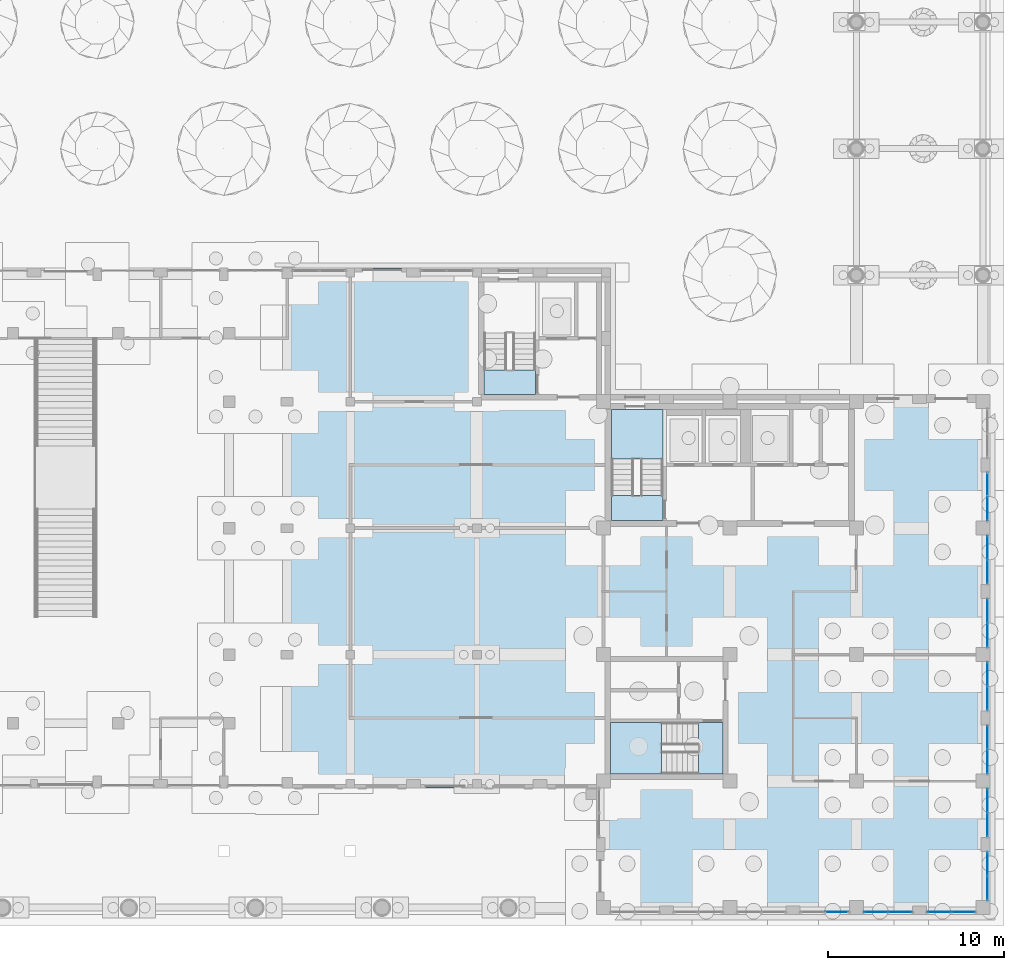
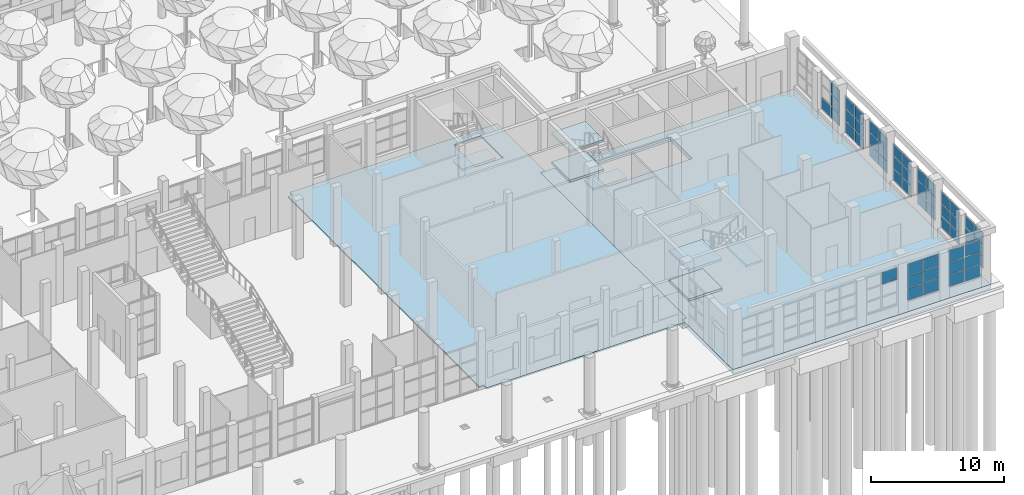
# One storey, part 34 of 80: 53 plates, 9 slabs, 13 elements without a shape of their own.
"""IFC4 building model written with IfcOpenShell, lengths in metres."""

from ifc_helpers import new_model, si_unit, direction, frame, origin, origin_2d, place, context, subcontext, project, spatial, polyline, rectangle, outline, extrude, material, layer, layer_set, type_object, element, aggregate, save


model = new_model("IFC4")

# Units and contexts
model_context = context("Model", 3, precision=1e-05, world=origin(), true_north=direction((0.0, 1.0)))
body_context = subcontext(model_context, "Body", "Model", "MODEL_VIEW")
ifc_project = project(units=[si_unit("LENGTHUNIT", "METRE"), si_unit("AREAUNIT", "SQUARE_METRE"), si_unit("VOLUMEUNIT", "CUBIC_METRE"), si_unit("PLANEANGLEUNIT", "RADIAN"), si_unit("MASSUNIT", "GRAM", prefix="KILO")], contexts=[model_context])

# Site, building, storey
site_placement = place(None, origin())
site = spatial("IfcSite", under=ifc_project, at=site_placement, CompositionType="ELEMENT")
building_placement = place(site_placement, origin())
building = spatial("IfcBuilding", under=site, at=building_placement, Name="Ussher Court Research Institute", CompositionType="ELEMENT")
storey_placement = place(building_placement, origin())
storey = spatial("IfcBuildingStorey", under=building, at=storey_placement, Name="L00", CompositionType="ELEMENT", Elevation=0.0)

# Curtain wall, plates
ifc_material_1 = material(Name="Bronze anodised aluminium with tinted glass", Category="aluminium")
ifc_layer_1 = layer(ifc_material_1, 0.1201171875)
ifc_layer_set_1 = layer_set([ifc_layer_1], Name="Bronze anodised aluminium with tinted glass")
curtain_wall_type = type_object("IfcCurtainWallType", Name="Curtain wall wet laboratory base storefront", PredefinedType="NOTDEFINED", material=ifc_layer_set_1)
curtain_wall_1_placement = place(storey_placement, origin())
curtain_wall_1 = element("IfcCurtainWall", 1, at=curtain_wall_1_placement, inside=storey, type_object=curtain_wall_type, Name="Curtain wall CW1 L00", PredefinedType="NOTDEFINED")
ifc_material_2 = material(Name="Double glazed unit")
ifc_layer_2 = layer(ifc_material_2, 0.028076171875)
ifc_layer_set_2 = layer_set([ifc_layer_2], Name="Double glazed unit")
plate_type = type_object("IfcPlateType", Name="Glazing panel 28 mm", PredefinedType="CURTAIN_PANEL", material=ifc_layer_set_2)
plate_1_placement = place(storey_placement, frame((104.050048828125, 28.0849609375, 0.9599609375), z_axis=(0.0, 0.0, 1.0), x_axis=(0.0, -1.0, 0.0)))
plate_1 = element("IfcPlate", 2, at=plate_1_placement, type_object=plate_type, Name="CW1 panel 1.1", PredefinedType="CURTAIN_PANEL", context=body_context, shape_type="SweptSolid", body=[
    extrude(rectangle(XDim=1.31005859375, YDim=0.028076171875, at=origin_2d()), origin(), (0.0, 0.0, 1.0), 1.043212890625),
])
plate_2_placement = place(storey_placement, frame((104.050048828125, 26.715087890625, 0.9599609375), z_axis=(0.0, 0.0, 1.0), x_axis=(0.0, -1.0, 0.0)))
plate_2 = element("IfcPlate", 3, at=plate_2_placement, type_object=plate_type, Name="CW1 panel 2.1", PredefinedType="CURTAIN_PANEL", context=body_context, shape_type="SweptSolid", body=[
    extrude(rectangle(XDim=1.31005859375, YDim=0.028076171875, at=origin_2d()), origin(), (0.0, 0.0, 1.0), 1.043212890625),
])
plate_3_placement = place(storey_placement, frame((104.050048828125, 26.715087890625, 2.0634765625), z_axis=(0.0, 0.0, 1.0), x_axis=(0.0, -1.0, 0.0)))
plate_3 = element("IfcPlate", 4, at=plate_3_placement, type_object=plate_type, Name="CW1 panel 2.2", PredefinedType="CURTAIN_PANEL", context=body_context, shape_type="SweptSolid", body=[
    extrude(rectangle(XDim=1.31005859375, YDim=0.028076171875, at=origin_2d()), origin(), (0.0, 0.0, 1.0), 1.073486328125),
])
plate_4_placement = place(storey_placement, frame((104.050048828125, 26.715087890625, 3.19677734375), z_axis=(0.0, 0.0, 1.0), x_axis=(0.0, -1.0, 0.0)))
plate_4 = element("IfcPlate", 5, at=plate_4_placement, type_object=plate_type, Name="CW1 panel 2.3", PredefinedType="CURTAIN_PANEL", context=body_context, shape_type="SweptSolid", body=[
    extrude(rectangle(XDim=1.31005859375, YDim=0.028076171875, at=origin_2d()), origin(), (0.0, 0.0, 1.0), 1.043212890625),
])
aggregate(curtain_wall_1, [plate_1, plate_2, plate_3, plate_4])

curtain_wall_2_placement = place(storey_placement, origin())
curtain_wall_2 = element("IfcCurtainWall", 6, at=curtain_wall_2_placement, inside=storey, type_object=curtain_wall_type, Name="Curtain wall CW1 L00", PredefinedType="NOTDEFINED")
plate_5_placement = place(storey_placement, frame((104.050048828125, 24.485107421875, 0.9599609375), z_axis=(0.0, 0.0, 1.0), x_axis=(0.0, -1.0, 0.0)))
plate_5 = element("IfcPlate", 7, at=plate_5_placement, type_object=plate_type, Name="CW1 panel 1.1", PredefinedType="CURTAIN_PANEL", context=body_context, shape_type="SweptSolid", body=[
    extrude(rectangle(XDim=1.31005859375, YDim=0.028076171875, at=origin_2d()), origin(), (0.0, 0.0, 1.0), 1.043212890625),
])
plate_6_placement = place(storey_placement, frame((104.050048828125, 24.485107421875, 2.0634765625), z_axis=(0.0, 0.0, 1.0), x_axis=(0.0, -1.0, 0.0)))
plate_6 = element("IfcPlate", 8, at=plate_6_placement, type_object=plate_type, Name="CW1 panel 1.2", PredefinedType="CURTAIN_PANEL", context=body_context, shape_type="SweptSolid", body=[
    extrude(rectangle(XDim=1.31005859375, YDim=0.028076171875, at=origin_2d()), origin(), (0.0, 0.0, 1.0), 1.073486328125),
])
plate_7_placement = place(storey_placement, frame((104.050048828125, 24.485107421875, 3.19677734375), z_axis=(0.0, 0.0, 1.0), x_axis=(0.0, -1.0, 0.0)))
plate_7 = element("IfcPlate", 9, at=plate_7_placement, type_object=plate_type, Name="CW1 panel 1.3", PredefinedType="CURTAIN_PANEL", context=body_context, shape_type="SweptSolid", body=[
    extrude(rectangle(XDim=1.31005859375, YDim=0.028076171875, at=origin_2d()), origin(), (0.0, 0.0, 1.0), 1.043212890625),
])
plate_8_placement = place(storey_placement, frame((104.050048828125, 23.114990234375, 0.9599609375), z_axis=(0.0, 0.0, 1.0), x_axis=(0.0, -1.0, 0.0)))
plate_8 = element("IfcPlate", 10, at=plate_8_placement, type_object=plate_type, Name="CW1 panel 2.1", PredefinedType="CURTAIN_PANEL", context=body_context, shape_type="SweptSolid", body=[
    extrude(rectangle(XDim=1.31005859375, YDim=0.028076171875, at=origin_2d()), origin(), (0.0, 0.0, 1.0), 1.043212890625),
])
plate_9_placement = place(storey_placement, frame((104.050048828125, 23.114990234375, 2.0634765625), z_axis=(0.0, 0.0, 1.0), x_axis=(0.0, -1.0, 0.0)))
plate_9 = element("IfcPlate", 11, at=plate_9_placement, type_object=plate_type, Name="CW1 panel 2.2", PredefinedType="CURTAIN_PANEL", context=body_context, shape_type="SweptSolid", body=[
    extrude(rectangle(XDim=1.31005859375, YDim=0.028076171875, at=origin_2d()), origin(), (0.0, 0.0, 1.0), 1.073486328125),
])
plate_10_placement = place(storey_placement, frame((104.050048828125, 23.114990234375, 3.19677734375), z_axis=(0.0, 0.0, 1.0), x_axis=(0.0, -1.0, 0.0)))
plate_10 = element("IfcPlate", 12, at=plate_10_placement, type_object=plate_type, Name="CW1 panel 2.3", PredefinedType="CURTAIN_PANEL", context=body_context, shape_type="SweptSolid", body=[
    extrude(rectangle(XDim=1.31005859375, YDim=0.028076171875, at=origin_2d()), origin(), (0.0, 0.0, 1.0), 1.043212890625),
])
aggregate(curtain_wall_2, [plate_5, plate_6, plate_7, plate_8, plate_9, plate_10])

curtain_wall_3_placement = place(storey_placement, origin())
curtain_wall_3 = element("IfcCurtainWall", 13, at=curtain_wall_3_placement, inside=storey, type_object=curtain_wall_type, Name="Curtain wall CW1 L00", PredefinedType="NOTDEFINED")
plate_11_placement = place(storey_placement, frame((104.050048828125, 20.885009765625, 0.9599609375), z_axis=(0.0, 0.0, 1.0), x_axis=(0.0, -1.0, 0.0)))
plate_11 = element("IfcPlate", 14, at=plate_11_placement, type_object=plate_type, Name="CW1 panel 1.1", PredefinedType="CURTAIN_PANEL", context=body_context, shape_type="SweptSolid", body=[
    extrude(rectangle(XDim=1.31005859375, YDim=0.028076171875, at=origin_2d()), origin(), (0.0, 0.0, 1.0), 1.043212890625),
])
plate_12_placement = place(storey_placement, frame((104.050048828125, 20.885009765625, 2.0634765625), z_axis=(0.0, 0.0, 1.0), x_axis=(0.0, -1.0, 0.0)))
plate_12 = element("IfcPlate", 15, at=plate_12_placement, type_object=plate_type, Name="CW1 panel 1.2", PredefinedType="CURTAIN_PANEL", context=body_context, shape_type="SweptSolid", body=[
    extrude(rectangle(XDim=1.31005859375, YDim=0.028076171875, at=origin_2d()), origin(), (0.0, 0.0, 1.0), 1.073486328125),
])
plate_13_placement = place(storey_placement, frame((104.050048828125, 20.885009765625, 3.19677734375), z_axis=(0.0, 0.0, 1.0), x_axis=(0.0, -1.0, 0.0)))
plate_13 = element("IfcPlate", 16, at=plate_13_placement, type_object=plate_type, Name="CW1 panel 1.3", PredefinedType="CURTAIN_PANEL", context=body_context, shape_type="SweptSolid", body=[
    extrude(rectangle(XDim=1.31005859375, YDim=0.028076171875, at=origin_2d()), origin(), (0.0, 0.0, 1.0), 1.043212890625),
])
plate_14_placement = place(storey_placement, frame((104.050048828125, 19.514892578125, 0.9599609375), z_axis=(0.0, 0.0, 1.0), x_axis=(0.0, -1.0, 0.0)))
plate_14 = element("IfcPlate", 17, at=plate_14_placement, type_object=plate_type, Name="CW1 panel 2.1", PredefinedType="CURTAIN_PANEL", context=body_context, shape_type="SweptSolid", body=[
    extrude(rectangle(XDim=1.31005859375, YDim=0.028076171875, at=origin_2d()), origin(), (0.0, 0.0, 1.0), 1.043212890625),
])
plate_15_placement = place(storey_placement, frame((104.050048828125, 19.514892578125, 2.0634765625), z_axis=(0.0, 0.0, 1.0), x_axis=(0.0, -1.0, 0.0)))
plate_15 = element("IfcPlate", 18, at=plate_15_placement, type_object=plate_type, Name="CW1 panel 2.2", PredefinedType="CURTAIN_PANEL", context=body_context, shape_type="SweptSolid", body=[
    extrude(rectangle(XDim=1.31005859375, YDim=0.028076171875, at=origin_2d()), origin(), (0.0, 0.0, 1.0), 1.073486328125),
])
plate_16_placement = place(storey_placement, frame((104.050048828125, 19.514892578125, 3.19677734375), z_axis=(0.0, 0.0, 1.0), x_axis=(0.0, -1.0, 0.0)))
plate_16 = element("IfcPlate", 19, at=plate_16_placement, type_object=plate_type, Name="CW1 panel 2.3", PredefinedType="CURTAIN_PANEL", context=body_context, shape_type="SweptSolid", body=[
    extrude(rectangle(XDim=1.31005859375, YDim=0.028076171875, at=origin_2d()), origin(), (0.0, 0.0, 1.0), 1.043212890625),
])
aggregate(curtain_wall_3, [plate_11, plate_12, plate_13, plate_14, plate_15, plate_16])

curtain_wall_4_placement = place(storey_placement, origin())
curtain_wall_4 = element("IfcCurtainWall", 20, at=curtain_wall_4_placement, inside=storey, type_object=curtain_wall_type, Name="Curtain wall CW1 L00", PredefinedType="NOTDEFINED")
plate_17_placement = place(storey_placement, frame((104.050048828125, 17.284912109375, 0.9599609375), z_axis=(0.0, 0.0, 1.0), x_axis=(0.0, -1.0, 0.0)))
plate_17 = element("IfcPlate", 21, at=plate_17_placement, type_object=plate_type, Name="CW1 panel 1.1", PredefinedType="CURTAIN_PANEL", context=body_context, shape_type="SweptSolid", body=[
    extrude(rectangle(XDim=1.31005859375, YDim=0.028076171875, at=origin_2d()), origin(), (0.0, 0.0, 1.0), 1.043212890625),
])
plate_18_placement = place(storey_placement, frame((104.050048828125, 17.284912109375, 2.0634765625), z_axis=(0.0, 0.0, 1.0), x_axis=(0.0, -1.0, 0.0)))
plate_18 = element("IfcPlate", 22, at=plate_18_placement, type_object=plate_type, Name="CW1 panel 1.2", PredefinedType="CURTAIN_PANEL", context=body_context, shape_type="SweptSolid", body=[
    extrude(rectangle(XDim=1.31005859375, YDim=0.028076171875, at=origin_2d()), origin(), (0.0, 0.0, 1.0), 1.073486328125),
])
plate_19_placement = place(storey_placement, frame((104.050048828125, 17.284912109375, 3.19677734375), z_axis=(0.0, 0.0, 1.0), x_axis=(0.0, -1.0, 0.0)))
plate_19 = element("IfcPlate", 23, at=plate_19_placement, type_object=plate_type, Name="CW1 panel 1.3", PredefinedType="CURTAIN_PANEL", context=body_context, shape_type="SweptSolid", body=[
    extrude(rectangle(XDim=1.31005859375, YDim=0.028076171875, at=origin_2d()), origin(), (0.0, 0.0, 1.0), 1.043212890625),
])
plate_20_placement = place(storey_placement, frame((104.050048828125, 15.9150390625, 0.9599609375), z_axis=(0.0, 0.0, 1.0), x_axis=(0.0, -1.0, 0.0)))
plate_20 = element("IfcPlate", 24, at=plate_20_placement, type_object=plate_type, Name="CW1 panel 2.1", PredefinedType="CURTAIN_PANEL", context=body_context, shape_type="SweptSolid", body=[
    extrude(rectangle(XDim=1.31005859375, YDim=0.028076171875, at=origin_2d()), origin(), (0.0, 0.0, 1.0), 1.043212890625),
])
plate_21_placement = place(storey_placement, frame((104.050048828125, 15.9150390625, 2.0634765625), z_axis=(0.0, 0.0, 1.0), x_axis=(0.0, -1.0, 0.0)))
plate_21 = element("IfcPlate", 25, at=plate_21_placement, type_object=plate_type, Name="CW1 panel 2.2", PredefinedType="CURTAIN_PANEL", context=body_context, shape_type="SweptSolid", body=[
    extrude(rectangle(XDim=1.31005859375, YDim=0.028076171875, at=origin_2d()), origin(), (0.0, 0.0, 1.0), 1.073486328125),
])
plate_22_placement = place(storey_placement, frame((104.050048828125, 15.9150390625, 3.19677734375), z_axis=(0.0, 0.0, 1.0), x_axis=(0.0, -1.0, 0.0)))
plate_22 = element("IfcPlate", 26, at=plate_22_placement, type_object=plate_type, Name="CW1 panel 2.3", PredefinedType="CURTAIN_PANEL", context=body_context, shape_type="SweptSolid", body=[
    extrude(rectangle(XDim=1.31005859375, YDim=0.028076171875, at=origin_2d()), origin(), (0.0, 0.0, 1.0), 1.043212890625),
])
aggregate(curtain_wall_4, [plate_17, plate_18, plate_19, plate_20, plate_21, plate_22])

curtain_wall_5_placement = place(storey_placement, origin())
curtain_wall_5 = element("IfcCurtainWall", 27, at=curtain_wall_5_placement, inside=storey, type_object=curtain_wall_type, Name="Curtain wall CW1 L00", PredefinedType="NOTDEFINED")
plate_23_placement = place(storey_placement, frame((104.050048828125, 13.68505859375, 0.9599609375), z_axis=(0.0, 0.0, 1.0), x_axis=(0.0, -1.0, 0.0)))
plate_23 = element("IfcPlate", 28, at=plate_23_placement, type_object=plate_type, Name="CW1 panel 1.1", PredefinedType="CURTAIN_PANEL", context=body_context, shape_type="SweptSolid", body=[
    extrude(rectangle(XDim=1.31005859375, YDim=0.028076171875, at=origin_2d()), origin(), (0.0, 0.0, 1.0), 1.043212890625),
])
plate_24_placement = place(storey_placement, frame((104.050048828125, 13.68505859375, 2.0634765625), z_axis=(0.0, 0.0, 1.0), x_axis=(0.0, -1.0, 0.0)))
plate_24 = element("IfcPlate", 29, at=plate_24_placement, type_object=plate_type, Name="CW1 panel 1.2", PredefinedType="CURTAIN_PANEL", context=body_context, shape_type="SweptSolid", body=[
    extrude(rectangle(XDim=1.31005859375, YDim=0.028076171875, at=origin_2d()), origin(), (0.0, 0.0, 1.0), 1.073486328125),
])
plate_25_placement = place(storey_placement, frame((104.050048828125, 13.68505859375, 3.19677734375), z_axis=(0.0, 0.0, 1.0), x_axis=(0.0, -1.0, 0.0)))
plate_25 = element("IfcPlate", 30, at=plate_25_placement, type_object=plate_type, Name="CW1 panel 1.3", PredefinedType="CURTAIN_PANEL", context=body_context, shape_type="SweptSolid", body=[
    extrude(rectangle(XDim=1.31005859375, YDim=0.028076171875, at=origin_2d()), origin(), (0.0, 0.0, 1.0), 1.043212890625),
])
plate_26_placement = place(storey_placement, frame((104.050048828125, 12.31494140625, 0.9599609375), z_axis=(0.0, 0.0, 1.0), x_axis=(0.0, -1.0, 0.0)))
plate_26 = element("IfcPlate", 31, at=plate_26_placement, type_object=plate_type, Name="CW1 panel 2.1", PredefinedType="CURTAIN_PANEL", context=body_context, shape_type="SweptSolid", body=[
    extrude(rectangle(XDim=1.31005859375, YDim=0.028076171875, at=origin_2d()), origin(), (0.0, 0.0, 1.0), 1.043212890625),
])
plate_27_placement = place(storey_placement, frame((104.050048828125, 12.31494140625, 2.0634765625), z_axis=(0.0, 0.0, 1.0), x_axis=(0.0, -1.0, 0.0)))
plate_27 = element("IfcPlate", 32, at=plate_27_placement, type_object=plate_type, Name="CW1 panel 2.2", PredefinedType="CURTAIN_PANEL", context=body_context, shape_type="SweptSolid", body=[
    extrude(rectangle(XDim=1.31005859375, YDim=0.028076171875, at=origin_2d()), origin(), (0.0, 0.0, 1.0), 1.073486328125),
])
plate_28_placement = place(storey_placement, frame((104.050048828125, 12.31494140625, 3.19677734375), z_axis=(0.0, 0.0, 1.0), x_axis=(0.0, -1.0, 0.0)))
plate_28 = element("IfcPlate", 33, at=plate_28_placement, type_object=plate_type, Name="CW1 panel 2.3", PredefinedType="CURTAIN_PANEL", context=body_context, shape_type="SweptSolid", body=[
    extrude(rectangle(XDim=1.31005859375, YDim=0.028076171875, at=origin_2d()), origin(), (0.0, 0.0, 1.0), 1.043212890625),
])
aggregate(curtain_wall_5, [plate_23, plate_24, plate_25, plate_26, plate_27, plate_28])

curtain_wall_6_placement = place(storey_placement, origin())
curtain_wall_6 = element("IfcCurtainWall", 34, at=curtain_wall_6_placement, inside=storey, type_object=curtain_wall_type, Name="Curtain wall CW1 L00", PredefinedType="NOTDEFINED")
plate_29_placement = place(storey_placement, frame((104.050048828125, 10.0849609375, 0.9599609375), z_axis=(0.0, 0.0, 1.0), x_axis=(0.0, -1.0, 0.0)))
plate_29 = element("IfcPlate", 35, at=plate_29_placement, type_object=plate_type, Name="CW1 panel 1.1", PredefinedType="CURTAIN_PANEL", context=body_context, shape_type="SweptSolid", body=[
    extrude(rectangle(XDim=1.31005859375, YDim=0.028076171875, at=origin_2d()), origin(), (0.0, 0.0, 1.0), 1.043212890625),
])
plate_30_placement = place(storey_placement, frame((104.050048828125, 10.0849609375, 2.0634765625), z_axis=(0.0, 0.0, 1.0), x_axis=(0.0, -1.0, 0.0)))
plate_30 = element("IfcPlate", 36, at=plate_30_placement, type_object=plate_type, Name="CW1 panel 1.2", PredefinedType="CURTAIN_PANEL", context=body_context, shape_type="SweptSolid", body=[
    extrude(rectangle(XDim=1.31005859375, YDim=0.028076171875, at=origin_2d()), origin(), (0.0, 0.0, 1.0), 1.073486328125),
])
plate_31_placement = place(storey_placement, frame((104.050048828125, 10.0849609375, 3.19677734375), z_axis=(0.0, 0.0, 1.0), x_axis=(0.0, -1.0, 0.0)))
plate_31 = element("IfcPlate", 37, at=plate_31_placement, type_object=plate_type, Name="CW1 panel 1.3", PredefinedType="CURTAIN_PANEL", context=body_context, shape_type="SweptSolid", body=[
    extrude(rectangle(XDim=1.31005859375, YDim=0.028076171875, at=origin_2d()), origin(), (0.0, 0.0, 1.0), 1.043212890625),
])
plate_32_placement = place(storey_placement, frame((104.050048828125, 8.715087890625, 0.9599609375), z_axis=(0.0, 0.0, 1.0), x_axis=(0.0, -1.0, 0.0)))
plate_32 = element("IfcPlate", 38, at=plate_32_placement, type_object=plate_type, Name="CW1 panel 2.1", PredefinedType="CURTAIN_PANEL", context=body_context, shape_type="SweptSolid", body=[
    extrude(rectangle(XDim=1.31005859375, YDim=0.028076171875, at=origin_2d()), origin(), (0.0, 0.0, 1.0), 1.043212890625),
])
plate_33_placement = place(storey_placement, frame((104.050048828125, 8.715087890625, 2.0634765625), z_axis=(0.0, 0.0, 1.0), x_axis=(0.0, -1.0, 0.0)))
plate_33 = element("IfcPlate", 39, at=plate_33_placement, type_object=plate_type, Name="CW1 panel 2.2", PredefinedType="CURTAIN_PANEL", context=body_context, shape_type="SweptSolid", body=[
    extrude(rectangle(XDim=1.31005859375, YDim=0.028076171875, at=origin_2d()), origin(), (0.0, 0.0, 1.0), 1.073486328125),
])
plate_34_placement = place(storey_placement, frame((104.050048828125, 8.715087890625, 3.19677734375), z_axis=(0.0, 0.0, 1.0), x_axis=(0.0, -1.0, 0.0)))
plate_34 = element("IfcPlate", 40, at=plate_34_placement, type_object=plate_type, Name="CW1 panel 2.3", PredefinedType="CURTAIN_PANEL", context=body_context, shape_type="SweptSolid", body=[
    extrude(rectangle(XDim=1.31005859375, YDim=0.028076171875, at=origin_2d()), origin(), (0.0, 0.0, 1.0), 1.043212890625),
])
aggregate(curtain_wall_6, [plate_29, plate_30, plate_31, plate_32, plate_33, plate_34])

curtain_wall_7_placement = place(storey_placement, origin())
curtain_wall_7 = element("IfcCurtainWall", 41, at=curtain_wall_7_placement, inside=storey, type_object=curtain_wall_type, Name="Curtain wall CW1 L00", PredefinedType="NOTDEFINED")
plate_35_placement = place(storey_placement, frame((104.050048828125, 6.485107421875, 0.9599609375), z_axis=(0.0, 0.0, 1.0), x_axis=(0.0, -1.0, 0.0)))
plate_35 = element("IfcPlate", 42, at=plate_35_placement, type_object=plate_type, Name="CW1 panel 1.1", PredefinedType="CURTAIN_PANEL", context=body_context, shape_type="SweptSolid", body=[
    extrude(rectangle(XDim=1.31005859375, YDim=0.028076171875, at=origin_2d()), origin(), (0.0, 0.0, 1.0), 1.043212890625),
])
plate_36_placement = place(storey_placement, frame((104.050048828125, 6.485107421875, 2.0634765625), z_axis=(0.0, 0.0, 1.0), x_axis=(0.0, -1.0, 0.0)))
plate_36 = element("IfcPlate", 43, at=plate_36_placement, type_object=plate_type, Name="CW1 panel 1.2", PredefinedType="CURTAIN_PANEL", context=body_context, shape_type="SweptSolid", body=[
    extrude(rectangle(XDim=1.31005859375, YDim=0.028076171875, at=origin_2d()), origin(), (0.0, 0.0, 1.0), 1.073486328125),
])
plate_37_placement = place(storey_placement, frame((104.050048828125, 6.485107421875, 3.19677734375), z_axis=(0.0, 0.0, 1.0), x_axis=(0.0, -1.0, 0.0)))
plate_37 = element("IfcPlate", 44, at=plate_37_placement, type_object=plate_type, Name="CW1 panel 1.3", PredefinedType="CURTAIN_PANEL", context=body_context, shape_type="SweptSolid", body=[
    extrude(rectangle(XDim=1.31005859375, YDim=0.028076171875, at=origin_2d()), origin(), (0.0, 0.0, 1.0), 1.043212890625),
])
plate_38_placement = place(storey_placement, frame((104.050048828125, 5.114990234375, 0.9599609375), z_axis=(0.0, 0.0, 1.0), x_axis=(0.0, -1.0, 0.0)))
plate_38 = element("IfcPlate", 45, at=plate_38_placement, type_object=plate_type, Name="CW1 panel 2.1", PredefinedType="CURTAIN_PANEL", context=body_context, shape_type="SweptSolid", body=[
    extrude(rectangle(XDim=1.31005859375, YDim=0.028076171875, at=origin_2d()), origin(), (0.0, 0.0, 1.0), 1.043212890625),
])
plate_39_placement = place(storey_placement, frame((104.050048828125, 5.114990234375, 2.0634765625), z_axis=(0.0, 0.0, 1.0), x_axis=(0.0, -1.0, 0.0)))
plate_39 = element("IfcPlate", 46, at=plate_39_placement, type_object=plate_type, Name="CW1 panel 2.2", PredefinedType="CURTAIN_PANEL", context=body_context, shape_type="SweptSolid", body=[
    extrude(rectangle(XDim=1.31005859375, YDim=0.028076171875, at=origin_2d()), origin(), (0.0, 0.0, 1.0), 1.073486328125),
])
plate_40_placement = place(storey_placement, frame((104.050048828125, 5.114990234375, 3.19677734375), z_axis=(0.0, 0.0, 1.0), x_axis=(0.0, -1.0, 0.0)))
plate_40 = element("IfcPlate", 47, at=plate_40_placement, type_object=plate_type, Name="CW1 panel 2.3", PredefinedType="CURTAIN_PANEL", context=body_context, shape_type="SweptSolid", body=[
    extrude(rectangle(XDim=1.31005859375, YDim=0.028076171875, at=origin_2d()), origin(), (0.0, 0.0, 1.0), 1.043212890625),
])
aggregate(curtain_wall_7, [plate_35, plate_36, plate_37, plate_38, plate_39, plate_40])

curtain_wall_8_placement = place(storey_placement, origin())
curtain_wall_8 = element("IfcCurtainWall", 48, at=curtain_wall_8_placement, inside=storey, type_object=curtain_wall_type, Name="Curtain wall CW1 L00", PredefinedType="NOTDEFINED")
plate_41_placement = place(storey_placement, frame((102.68505859375, 3.75, 0.9599609375), z_axis=(0.0, 0.0, 1.0), x_axis=(-1.0, 0.0, 0.0)))
plate_41 = element("IfcPlate", 49, at=plate_41_placement, type_object=plate_type, Name="CW1 panel 1.1", PredefinedType="CURTAIN_PANEL", context=body_context, shape_type="SweptSolid", body=[
    extrude(rectangle(XDim=1.31005859375, YDim=0.028076171875, at=origin_2d()), origin(), (0.0, 0.0, 1.0), 1.043212890625),
])
plate_42_placement = place(storey_placement, frame((102.68505859375, 3.75, 2.0634765625), z_axis=(0.0, 0.0, 1.0), x_axis=(-1.0, 0.0, 0.0)))
plate_42 = element("IfcPlate", 50, at=plate_42_placement, type_object=plate_type, Name="CW1 panel 1.2", PredefinedType="CURTAIN_PANEL", context=body_context, shape_type="SweptSolid", body=[
    extrude(rectangle(XDim=1.31005859375, YDim=0.028076171875, at=origin_2d()), origin(), (0.0, 0.0, 1.0), 1.073486328125),
])
plate_43_placement = place(storey_placement, frame((102.68505859375, 3.75, 3.19677734375), z_axis=(0.0, 0.0, 1.0), x_axis=(-1.0, 0.0, 0.0)))
plate_43 = element("IfcPlate", 51, at=plate_43_placement, type_object=plate_type, Name="CW1 panel 1.3", PredefinedType="CURTAIN_PANEL", context=body_context, shape_type="SweptSolid", body=[
    extrude(rectangle(XDim=1.31005859375, YDim=0.028076171875, at=origin_2d()), origin(), (0.0, 0.0, 1.0), 1.043212890625),
])
plate_44_placement = place(storey_placement, frame((101.31494140625, 3.75, 0.9599609375), z_axis=(0.0, 0.0, 1.0), x_axis=(-1.0, 0.0, 0.0)))
plate_44 = element("IfcPlate", 52, at=plate_44_placement, type_object=plate_type, Name="CW1 panel 2.1", PredefinedType="CURTAIN_PANEL", context=body_context, shape_type="SweptSolid", body=[
    extrude(rectangle(XDim=1.31005859375, YDim=0.028076171875, at=origin_2d()), origin(), (0.0, 0.0, 1.0), 1.043212890625),
])
plate_45_placement = place(storey_placement, frame((101.31494140625, 3.75, 2.0634765625), z_axis=(0.0, 0.0, 1.0), x_axis=(-1.0, 0.0, 0.0)))
plate_45 = element("IfcPlate", 53, at=plate_45_placement, type_object=plate_type, Name="CW1 panel 2.2", PredefinedType="CURTAIN_PANEL", context=body_context, shape_type="SweptSolid", body=[
    extrude(rectangle(XDim=1.31005859375, YDim=0.028076171875, at=origin_2d()), origin(), (0.0, 0.0, 1.0), 1.073486328125),
])
plate_46_placement = place(storey_placement, frame((101.31494140625, 3.75, 3.19677734375), z_axis=(0.0, 0.0, 1.0), x_axis=(-1.0, 0.0, 0.0)))
plate_46 = element("IfcPlate", 54, at=plate_46_placement, type_object=plate_type, Name="CW1 panel 2.3", PredefinedType="CURTAIN_PANEL", context=body_context, shape_type="SweptSolid", body=[
    extrude(rectangle(XDim=1.31005859375, YDim=0.028076171875, at=origin_2d()), origin(), (0.0, 0.0, 1.0), 1.043212890625),
])
aggregate(curtain_wall_8, [plate_41, plate_42, plate_43, plate_44, plate_45, plate_46])

curtain_wall_9_placement = place(storey_placement, origin())
curtain_wall_9 = element("IfcCurtainWall", 55, at=curtain_wall_9_placement, inside=storey, type_object=curtain_wall_type, Name="Curtain wall CW1 L00", PredefinedType="NOTDEFINED")
plate_47_placement = place(storey_placement, frame((99.0849609375, 3.75, 0.9599609375), z_axis=(0.0, 0.0, 1.0), x_axis=(-1.0, 0.0, 0.0)))
plate_47 = element("IfcPlate", 56, at=plate_47_placement, type_object=plate_type, Name="CW1 panel 1.1", PredefinedType="CURTAIN_PANEL", context=body_context, shape_type="SweptSolid", body=[
    extrude(rectangle(XDim=1.31005859375, YDim=0.028076171875, at=origin_2d()), origin(), (0.0, 0.0, 1.0), 1.043212890625),
])
plate_48_placement = place(storey_placement, frame((99.0849609375, 3.75, 2.0634765625), z_axis=(0.0, 0.0, 1.0), x_axis=(-1.0, 0.0, 0.0)))
plate_48 = element("IfcPlate", 57, at=plate_48_placement, type_object=plate_type, Name="CW1 panel 1.2", PredefinedType="CURTAIN_PANEL", context=body_context, shape_type="SweptSolid", body=[
    extrude(rectangle(XDim=1.31005859375, YDim=0.028076171875, at=origin_2d()), origin(), (0.0, 0.0, 1.0), 1.073486328125),
])
plate_49_placement = place(storey_placement, frame((99.0849609375, 3.75, 3.19677734375), z_axis=(0.0, 0.0, 1.0), x_axis=(-1.0, 0.0, 0.0)))
plate_49 = element("IfcPlate", 58, at=plate_49_placement, type_object=plate_type, Name="CW1 panel 1.3", PredefinedType="CURTAIN_PANEL", context=body_context, shape_type="SweptSolid", body=[
    extrude(rectangle(XDim=1.31005859375, YDim=0.028076171875, at=origin_2d()), origin(), (0.0, 0.0, 1.0), 1.043212890625),
])
plate_50_placement = place(storey_placement, frame((97.715087890625, 3.75, 0.9599609375), z_axis=(0.0, 0.0, 1.0), x_axis=(-1.0, 0.0, 0.0)))
plate_50 = element("IfcPlate", 59, at=plate_50_placement, type_object=plate_type, Name="CW1 panel 2.1", PredefinedType="CURTAIN_PANEL", context=body_context, shape_type="SweptSolid", body=[
    extrude(rectangle(XDim=1.31005859375, YDim=0.028076171875, at=origin_2d()), origin(), (0.0, 0.0, 1.0), 1.043212890625),
])
plate_51_placement = place(storey_placement, frame((97.715087890625, 3.75, 2.0634765625), z_axis=(0.0, 0.0, 1.0), x_axis=(-1.0, 0.0, 0.0)))
plate_51 = element("IfcPlate", 60, at=plate_51_placement, type_object=plate_type, Name="CW1 panel 2.2", PredefinedType="CURTAIN_PANEL", context=body_context, shape_type="SweptSolid", body=[
    extrude(rectangle(XDim=1.31005859375, YDim=0.028076171875, at=origin_2d()), origin(), (0.0, 0.0, 1.0), 1.073486328125),
])
plate_52_placement = place(storey_placement, frame((97.715087890625, 3.75, 3.19677734375), z_axis=(0.0, 0.0, 1.0), x_axis=(-1.0, 0.0, 0.0)))
plate_52 = element("IfcPlate", 61, at=plate_52_placement, type_object=plate_type, Name="CW1 panel 2.3", PredefinedType="CURTAIN_PANEL", context=body_context, shape_type="SweptSolid", body=[
    extrude(rectangle(XDim=1.31005859375, YDim=0.028076171875, at=origin_2d()), origin(), (0.0, 0.0, 1.0), 1.043212890625),
])
aggregate(curtain_wall_9, [plate_47, plate_48, plate_49, plate_50, plate_51, plate_52])

# Curtain wall, plate
curtain_wall_10_placement = place(storey_placement, origin())
curtain_wall_10 = element("IfcCurtainWall", 62, at=curtain_wall_10_placement, inside=storey, type_object=curtain_wall_type, Name="Curtain wall CW1 L00", PredefinedType="NOTDEFINED")
plate_53_placement = place(storey_placement, frame((95.485107421875, 3.75, 3.19677734375), z_axis=(0.0, 0.0, 1.0), x_axis=(-1.0, 0.0, 0.0)))
plate_53 = element("IfcPlate", 63, at=plate_53_placement, type_object=plate_type, Name="CW1 panel 1.3", PredefinedType="CURTAIN_PANEL", context=body_context, shape_type="SweptSolid", body=[
    extrude(rectangle(XDim=1.31005859375, YDim=0.028076171875, at=origin_2d()), origin(), (0.0, 0.0, 1.0), 1.043212890625),
])
aggregate(curtain_wall_10, [plate_53])

# Slabs
ifc_material_3 = material(Name="Concrete C35/45", Category="concrete")
ifc_layer_3 = layer(ifc_material_3, 0.139892578125)
ifc_layer_set_3 = layer_set([ifc_layer_3], Name="Concrete C35/45")
slab_type_1 = type_object("IfcSlabType", Name="Ground slab 140", PredefinedType="BASESLAB", material=ifc_layer_set_3)
slab_1_placement = place(storey_placement, frame((0.0, 0.0, -0.139892578125)))
element("IfcSlab", 64, at=slab_1_placement, inside=storey, type_object=slab_type_1, Name="GS140 V7 L00-01", PredefinedType="BASESLAB", context=body_context, shape_type="SweptSolid", body=[
    extrude(outline(polyline([(64.60009765625, 40.0), (64.199951171875, 40.0), (64.199951171875, 11.199951171875), (64.60009765625, 11.199951171875), (64.60009765625, 10.800048828125), (81.800048828125, 10.800048828125), (81.800048828125, 11.199951171875), (82.199951171875, 11.199951171875), (82.199951171875, 33.199951171875), (82.60009765625, 33.199951171875), (82.60009765625, 40.39990234375), (64.60009765625, 40.39990234375), (64.60009765625, 40.0)]), holes=[polyline([(80.75, 39.60009765625), (80.75, 36.300048828125), (78.35009765625, 36.300048828125), (78.35009765625, 39.60009765625), (80.75, 39.60009765625)])]), origin(), (0.0, 0.0, 1.0), 0.139892578125),
])
ifc_material_4 = material(Name="Concrete C35/45", Category="concrete")
ifc_layer_4 = layer(ifc_material_4, 0.39990234375)
ifc_layer_set_4 = layer_set([ifc_layer_4], Name="Concrete C35/45")
slab_type_2 = type_object("IfcSlabType", Name="Ground slab 400", PredefinedType="BASESLAB", material=ifc_layer_set_4)
slab_2_placement = place(storey_placement, frame((0.0, 0.0, -0.39990234375)))
element("IfcSlab", 65, at=slab_2_placement, inside=storey, type_object=slab_type_2, Name="GS400 V4 L00-01", PredefinedType="BASESLAB", context=body_context, shape_type="SweptSolid", body=[
    extrude(outline(polyline([(81.800048828125, 11.199951171875), (81.800048828125, 3.60009765625), (104.199951171875, 3.60009765625), (104.199951171875, 33.199951171875), (82.199951171875, 33.199951171875), (82.199951171875, 11.199951171875), (81.800048828125, 11.199951171875)]), holes=[polyline([(93.0, 32.35009765625), (93.0, 29.10009765625), (85.60009765625, 29.10009765625), (85.60009765625, 32.35009765625), (93.0, 32.35009765625)])]), origin(), (0.0, 0.0, 1.0), 0.39990234375),
])

# Stair, slab
ifc_material_5 = material(Name="Concrete C35/45", Category="concrete")
stair_type_1 = type_object("IfcStairType", Name="Core stair 32 risers 169 mm x 300 going 1300 wide", PredefinedType="HALF_TURN_STAIR", material=ifc_material_5)
stair_1_placement = place(storey_placement, origin())
stair_1 = element("IfcStair", 66, at=stair_1_placement, inside=storey, type_object=stair_type_1, Name="L00 Stair E1", PredefinedType="HALF_TURN_STAIR")
ifc_material_6 = material(Name="Concrete C35/45", Category="concrete")
ifc_layer_5 = layer(ifc_material_6, 0.199951171875)
ifc_layer_set_5 = layer_set([ifc_layer_5], Name="Concrete C35/45")
slab_type_3 = type_object("IfcSlabType", Name="Stair landing 200 RC", PredefinedType="LANDING", material=ifc_layer_set_5)
slab_3_placement = place(storey_placement, frame((0.0, 0.0, 2.5)))
slab_3 = element("IfcSlab", 67, at=slab_3_placement, type_object=slab_type_3, Name="E1 landing 2", PredefinedType="LANDING", context=body_context, shape_type="SweptSolid", body=[
    extrude(outline(polyline([(78.35009765625, 33.199951171875), (78.35009765625, 34.60009765625), (75.39990234375, 34.60009765625), (75.39990234375, 33.199951171875), (78.35009765625, 33.199951171875)])), origin(), (0.0, 0.0, 1.0), 0.199951171875),
])
aggregate(stair_1, [slab_3])

# Stair, slabs
ifc_material_7 = material(Name="Concrete C35/45", Category="concrete")
stair_type_2 = type_object("IfcStairType", Name="Core stair 32 risers 169 mm x 300 going 1280 wide", PredefinedType="HALF_TURN_STAIR", material=ifc_material_7)
stair_2_placement = place(storey_placement, origin())
stair_2 = element("IfcStair", 68, at=stair_2_placement, inside=storey, type_object=stair_type_2, Name="L00 Stair T1", PredefinedType="HALF_TURN_STAIR")
slab_4_placement = place(storey_placement, frame((0.0, 0.0, 1.14990234375)))
slab_4 = element("IfcSlab", 69, at=slab_4_placement, type_object=slab_type_3, Name="T1 landing 1", PredefinedType="LANDING", context=body_context, shape_type="SweptSolid", body=[
    extrude(outline(polyline([(85.60009765625, 29.550048828125), (85.60009765625, 32.35009765625), (82.64990234375, 32.35009765625), (82.64990234375, 29.550048828125), (85.60009765625, 29.550048828125)])), origin(), (0.0, 0.0, 1.0), 0.2001953125),
])
slab_5_placement = place(storey_placement, frame((0.0, 0.0, 2.5)))
slab_5 = element("IfcSlab", 70, at=slab_5_placement, type_object=slab_type_3, Name="T1 landing 2", PredefinedType="LANDING", context=body_context, shape_type="SweptSolid", body=[
    extrude(outline(polyline([(85.60009765625, 26.050048828125), (85.60009765625, 27.449951171875), (82.64990234375, 27.449951171875), (82.64990234375, 26.050048828125), (85.60009765625, 26.050048828125)])), origin(), (0.0, 0.0, 1.0), 0.199951171875),
])
slab_6_placement = place(storey_placement, frame((0.0, 0.0, 3.85009765625)))
slab_6 = element("IfcSlab", 71, at=slab_6_placement, type_object=slab_type_3, Name="T1 landing 3", PredefinedType="LANDING", context=body_context, shape_type="SweptSolid", body=[
    extrude(outline(polyline([(85.60009765625, 29.550048828125), (85.60009765625, 32.35009765625), (82.64990234375, 32.35009765625), (82.64990234375, 29.550048828125), (85.60009765625, 29.550048828125)])), origin(), (0.0, 0.0, 1.0), 0.199951171875),
])
aggregate(stair_2, [slab_4, slab_5, slab_6])

stair_3_placement = place(storey_placement, origin())
stair_3 = element("IfcStair", 72, at=stair_3_placement, inside=storey, type_object=stair_type_1, Name="L00 Stair T2", PredefinedType="HALF_TURN_STAIR")
slab_7_placement = place(storey_placement, frame((0.0, 0.0, 1.14990234375)))
slab_7 = element("IfcSlab", 73, at=slab_7_placement, type_object=slab_type_3, Name="T2 landing 1", PredefinedType="LANDING", context=body_context, shape_type="SweptSolid", body=[
    extrude(outline(polyline([(85.5, 14.550048828125), (82.60009765625, 14.550048828125), (82.60009765625, 11.60009765625), (85.5, 11.60009765625), (85.5, 14.550048828125)])), origin(), (0.0, 0.0, 1.0), 0.2001953125),
])
slab_8_placement = place(storey_placement, frame((0.0, 0.0, 2.5)))
slab_8 = element("IfcSlab", 74, at=slab_8_placement, type_object=slab_type_3, Name="T2 landing 2", PredefinedType="LANDING", context=body_context, shape_type="SweptSolid", body=[
    extrude(outline(polyline([(89.0, 14.550048828125), (87.60009765625, 14.550048828125), (87.60009765625, 11.60009765625), (89.0, 11.60009765625), (89.0, 14.550048828125)])), origin(), (0.0, 0.0, 1.0), 0.199951171875),
])
slab_9_placement = place(storey_placement, frame((0.0, 0.0, 3.85009765625)))
slab_9 = element("IfcSlab", 75, at=slab_9_placement, type_object=slab_type_3, Name="T2 landing 3", PredefinedType="LANDING", context=body_context, shape_type="SweptSolid", body=[
    extrude(outline(polyline([(85.5, 14.550048828125), (82.60009765625, 14.550048828125), (82.60009765625, 11.60009765625), (85.5, 11.60009765625), (85.5, 14.550048828125)])), origin(), (0.0, 0.0, 1.0), 0.199951171875),
])
aggregate(stair_3, [slab_7, slab_8, slab_9])

save(model, "model.ifc")
